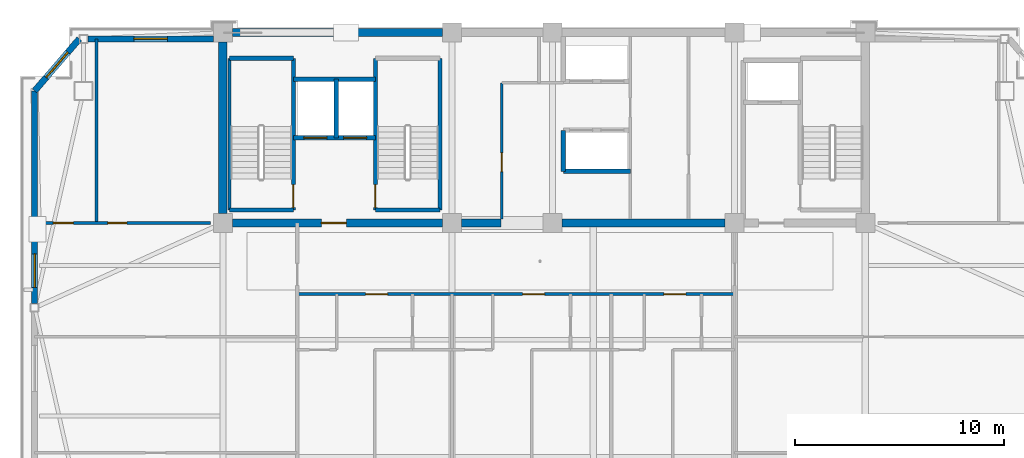
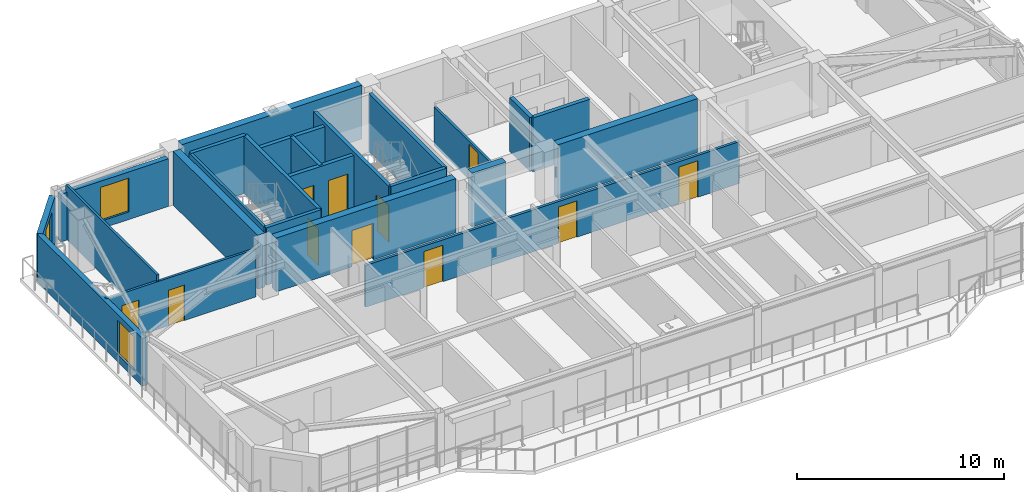
# One storey, part 7 of 14: 24 walls, 11 doors, 3 windows, 14 openings.
"""IFC4 building model written with IfcOpenShell, lengths in metres."""

from ifc_helpers import new_model, si_unit, direction, frame, frame_2d, origin, place, context, subcontext, project, spatial, rectangle, extrude, source, transform, mapped, material, layer, layer_set, type_object, element, fill, save


model = new_model("IFC4")

# Units and contexts
model_context = context("Model", 3, precision=1e-05, world=origin(), true_north=direction((0.0, 1.0)))
body_context = subcontext(model_context, "Body", "Model", "MODEL_VIEW")
ifc_project = project(units=[si_unit("LENGTHUNIT", "METRE"), si_unit("AREAUNIT", "SQUARE_METRE"), si_unit("VOLUMEUNIT", "CUBIC_METRE"), si_unit("PLANEANGLEUNIT", "RADIAN"), si_unit("MASSUNIT", "GRAM", prefix="KILO")], contexts=[model_context])

# Site, building, storey
site_placement = place(None, origin())
site = spatial("IfcSite", under=ifc_project, at=site_placement, CompositionType="ELEMENT")
building_placement = place(site_placement, origin())
building = spatial("IfcBuilding", under=site, at=building_placement, Name="Giltprow Tower", CompositionType="ELEMENT")
storey_placement = place(building_placement, frame((0.0, 0.0, 314.199951171875)))
storey = spatial("IfcBuildingStorey", under=building, at=storey_placement, Name="L81", CompositionType="ELEMENT", Elevation=314.199951171875)

# Wall, opening, window
ifc_material_1 = material(Name="Precast concrete C40", Category="concrete")
ifc_layer_1 = layer(ifc_material_1, 0.300048828125, Name="Precast concrete C40")
ifc_layer_set_1 = layer_set([ifc_layer_1], Name="Precast concrete C40")
wall_type_1 = type_object("IfcWallType", Name="EW-NOTCH-CHAMFER-300", PredefinedType="SOLIDWALL", material=ifc_layer_set_1)
wall_1_placement = place(storey_placement, frame((12.992919921875, 46.25, 0.0), z_axis=(0.0, 0.0, 1.0), x_axis=(-0.65172861611, -0.758452246977, 0.0)))
wall_1 = element("IfcWall", 1, at=wall_1_placement, inside=storey, type_object=wall_type_1, Name="L81 Corner Notch Wall NW", PredefinedType="SOLIDWALL", context=body_context, shape_type="SweptSolid", body=[
    extrude(rectangle(XDim=3.280517578125, YDim=0.300048828125, at=frame_2d((1.64013671875, 0.0))), origin(), (0.0, 0.0, 1.0), 2.81494140625),
])
opening_1_placement = place(wall_1_placement, frame((0.840087890625, 0.0, 0.449951171875)))
opening_1 = element("IfcOpeningElement", 2, at=opening_1_placement, cuts=wall_1, Name="Opening WN17", PredefinedType="OPENING", context=body_context, shape_type="SweptSolid", body=[
    extrude(rectangle(XDim=1.60009765625, YDim=2.0, at=frame_2d((0.800048828125, 1.0))), frame((0.0, 0.159912109375, 0.0), z_axis=(0.0, -1.0, 0.0), x_axis=(1.0, 0.0, 0.0)), (0.0, 0.0, 1.0), 0.320068359375),
])
ifc_material_2 = material(Name="Insulated glass", Category="glass")
window_type = type_object("IfcWindowType", Name="WN-COR-1600x2000", PartitioningType="SINGLE_PANEL", PredefinedType="WINDOW", material=ifc_material_2)
shared_shape_1 = source(origin(), body_context, "Body", "SweptSolid", [
    extrude(rectangle(XDim=1.60009765625, YDim=2.0, at=frame_2d((0.800048828125, 1.0))), frame((0.0, 0.030029296875, 0.0), z_axis=(0.0, -1.0, 0.0), x_axis=(1.0, 0.0, 0.0)), (0.0, 0.0, 1.0), 0.06005859375),
])
window_1_placement = place(opening_1_placement, origin())
window_1 = element("IfcWindow", 3, at=window_1_placement, inside=storey, type_object=window_type, Name="L81 Corner Notch Window NW", OverallHeight=2.0, OverallWidth=1.60009765625, PartitioningType="SINGLE_PANEL", PredefinedType="WINDOW", context=body_context, shape_type="MappedRepresentation", body=[
    mapped(shared_shape_1, transform((0.0, 0.0, 0.0), x_axis=(1.0, 0.0, 0.0), y_axis=(0.0, 1.0, 0.0), z_axis=(0.0, 0.0, 1.0), scale=1.0)),
])
fill(opening_1, window_1)

ifc_layer_2 = layer(ifc_material_1, 0.280029296875, Name="Precast concrete C40")
ifc_layer_set_2 = layer_set([ifc_layer_2], Name="Precast concrete C40")
wall_type_2 = type_object("IfcWallType", Name="EW-TOW-BRONZE-280", PredefinedType="SOLIDWALL", material=ifc_layer_set_2)
wall_2_placement = place(storey_placement, frame((10.85498046875, 33.60205078125, 0.0), z_axis=(0.0, 0.0, 1.0), x_axis=(0.0, 1.0, 0.0)))
wall_2 = element("IfcWall", 4, at=wall_2_placement, inside=storey, type_object=wall_type_2, Name="L81 W Wing Masonry Wall 2", PredefinedType="SOLIDWALL", context=body_context, shape_type="SweptSolid", body=[
    extrude(rectangle(XDim=10.159912109375, YDim=0.280029296875, at=frame_2d((5.080078125, 0.0))), origin(), (0.0, 0.0, 1.0), 2.81494140625),
])
opening_2_placement = place(wall_2_placement, frame((0.77490234375, 0.0, 0.449951171875)))
opening_2 = element("IfcOpeningElement", 5, at=opening_2_placement, cuts=wall_2, Name="Opening WN17", PredefinedType="OPENING", context=body_context, shape_type="SweptSolid", body=[
    extrude(rectangle(XDim=1.60009765625, YDim=2.0, at=frame_2d((0.800048828125, 1.0))), frame((0.0, 0.14990234375, 0.0), z_axis=(0.0, -1.0, 0.0), x_axis=(1.0, 0.0, 0.0)), (0.0, 0.0, 1.0), 0.300048828125),
])
window_2_placement = place(opening_2_placement, origin())
window_2 = element("IfcWindow", 6, at=window_2_placement, inside=storey, type_object=window_type, Name="L81 W Wing Window 2-1", OverallHeight=2.0, OverallWidth=1.60009765625, PartitioningType="SINGLE_PANEL", PredefinedType="WINDOW", context=body_context, shape_type="MappedRepresentation", body=[
    mapped(shared_shape_1, transform((0.0, 0.0, 0.0), x_axis=(1.0, 0.0, 0.0), y_axis=(0.0, 1.0, 0.0), z_axis=(0.0, 0.0, 1.0), scale=1.0)),
])
fill(opening_2, window_2)

wall_3_placement = place(storey_placement, frame((13.39306640625, 46.25, 0.0), z_axis=(0.0, 0.0, 1.0), x_axis=(1.0, 0.0, 0.0)))
wall_3 = element("IfcWall", 7, at=wall_3_placement, inside=storey, type_object=wall_type_2, Name="L81 North-West Wing Wall", PredefinedType="SOLIDWALL", context=body_context, shape_type="SweptSolid", body=[
    extrude(rectangle(XDim=6.0068359375, YDim=0.280029296875, at=frame_2d((3.00341796875, 0.0))), origin(), (0.0, 0.0, 1.0), 2.81494140625),
])
opening_3_placement = place(wall_3_placement, frame((2.202880859375, 0.0, 0.449951171875)))
opening_3 = element("IfcOpeningElement", 8, at=opening_3_placement, cuts=wall_3, Name="Opening WN17", PredefinedType="OPENING", context=body_context, shape_type="SweptSolid", body=[
    extrude(rectangle(XDim=1.60009765625, YDim=2.0, at=frame_2d((0.800048828125, 1.0))), frame((0.0, 0.14990234375, 0.0), z_axis=(0.0, -1.0, 0.0), x_axis=(1.0, 0.0, 0.0)), (0.0, 0.0, 1.0), 0.300048828125),
])
window_3_placement = place(opening_3_placement, origin())
window_3 = element("IfcWindow", 9, at=window_3_placement, inside=storey, type_object=window_type, Name="L81 North-West Window", OverallHeight=2.0, OverallWidth=1.60009765625, PartitioningType="SINGLE_PANEL", PredefinedType="WINDOW", context=body_context, shape_type="MappedRepresentation", body=[
    mapped(shared_shape_1, transform((0.0, 0.0, 0.0), x_axis=(1.0, 0.0, 0.0), y_axis=(0.0, 1.0, 0.0), z_axis=(0.0, 0.0, 1.0), scale=1.0)),
])
fill(opening_3, window_3)

# Wall, openings, doors
ifc_material_3 = material(Name="Gypsum stud partition", Category="gypsum")
ifc_layer_3 = layer(ifc_material_3, 0.14990234375, Name="Gypsum stud partition")
ifc_layer_set_3 = layer_set([ifc_layer_3], Name="Gypsum stud partition")
wall_type_3 = type_object("IfcWallType", Name="IW-CORR-150", PredefinedType="PARTITIONING", material=ifc_layer_set_3)
wall_4_placement = place(storey_placement, frame((23.39990234375, 34.050048828125, 0.0), z_axis=(0.0, 0.0, 1.0), x_axis=(1.0, 0.0, 0.0)))
wall_4 = element("IfcWall", 10, at=wall_4_placement, inside=storey, type_object=wall_type_3, Name="L81 Residence Gallery Corridor Wall", PredefinedType="PARTITIONING", context=body_context, shape_type="SweptSolid", body=[
    extrude(rectangle(XDim=20.900146484375, YDim=0.14990234375, at=frame_2d((10.4501953125, 0.0))), origin(), (0.0, 0.0, 1.0), 2.469970703125),
])
opening_4_placement = place(wall_4_placement, frame((3.27490234375, 0.0, 0.0)))
opening_4 = element("IfcOpeningElement", 11, at=opening_4_placement, cuts=wall_4, Name="Opening ID31", PredefinedType="OPENING", context=body_context, shape_type="SweptSolid", body=[
    extrude(rectangle(XDim=1.050048828125, YDim=2.14990234375, at=frame_2d((0.52490234375, 1.074951171875))), frame((0.0, 0.0849609375, 0.0), z_axis=(0.0, -1.0, 0.0), x_axis=(1.0, 0.0, 0.0)), (0.0, 0.0, 1.0), 0.169921875),
])
opening_5_placement = place(wall_4_placement, frame((10.77490234375, 0.0, 0.0)))
opening_5 = element("IfcOpeningElement", 12, at=opening_5_placement, cuts=wall_4, Name="Opening ID31", PredefinedType="OPENING", context=body_context, shape_type="SweptSolid", body=[
    extrude(rectangle(XDim=1.050048828125, YDim=2.14990234375, at=frame_2d((0.52490234375, 1.074951171875))), frame((0.0, 0.0849609375, 0.0), z_axis=(0.0, -1.0, 0.0), x_axis=(1.0, 0.0, 0.0)), (0.0, 0.0, 1.0), 0.169921875),
])
opening_6_placement = place(wall_4_placement, frame((17.52490234375, 0.0, 0.0)))
opening_6 = element("IfcOpeningElement", 13, at=opening_6_placement, cuts=wall_4, Name="Opening ID31", PredefinedType="OPENING", context=body_context, shape_type="SweptSolid", body=[
    extrude(rectangle(XDim=1.050048828125, YDim=2.14990234375, at=frame_2d((0.52490234375, 1.074951171875))), frame((0.0, 0.0849609375, 0.0), z_axis=(0.0, -1.0, 0.0), x_axis=(1.0, 0.0, 0.0)), (0.0, 0.0, 1.0), 0.169921875),
])
ifc_material_4 = material(Name="Engineered timber", Category="wood")
door_type_1 = type_object("IfcDoorType", Name="DR-SUITE-1050", OperationType="SINGLE_SWING_LEFT", PredefinedType="DOOR", material=ifc_material_4)
shared_shape_2 = source(origin(), body_context, "Body", "SweptSolid", [
    extrude(rectangle(XDim=1.050048828125, YDim=2.14990234375, at=frame_2d((0.52490234375, 1.074951171875))), frame((0.0, 0.02490234375, 0.0), z_axis=(0.0, -1.0, 0.0), x_axis=(1.0, 0.0, 0.0)), (0.0, 0.0, 1.0), 0.050048828125),
])
door_1_placement = place(opening_4_placement, origin())
door_1 = element("IfcDoor", 14, at=door_1_placement, inside=storey, type_object=door_type_1, Name="L81 Unit 1 Entrance Door", OperationType="SINGLE_SWING_LEFT", OverallHeight=2.14990234375, OverallWidth=1.050048828125, PredefinedType="DOOR", context=body_context, shape_type="MappedRepresentation", body=[
    mapped(shared_shape_2, transform((0.0, 0.0, 0.0), x_axis=(1.0, 0.0, 0.0), y_axis=(0.0, 1.0, 0.0), z_axis=(0.0, 0.0, 1.0), scale=1.0)),
])
fill(opening_4, door_1)
door_2_placement = place(opening_5_placement, origin())
door_2 = element("IfcDoor", 15, at=door_2_placement, inside=storey, type_object=door_type_1, Name="L81 Unit 2 Entrance Door", OperationType="SINGLE_SWING_LEFT", OverallHeight=2.14990234375, OverallWidth=1.050048828125, PredefinedType="DOOR", context=body_context, shape_type="MappedRepresentation", body=[
    mapped(shared_shape_2, transform((0.0, 0.0, 0.0), x_axis=(1.0, 0.0, 0.0), y_axis=(0.0, 1.0, 0.0), z_axis=(0.0, 0.0, 1.0), scale=1.0)),
])
fill(opening_5, door_2)
door_3_placement = place(opening_6_placement, origin())
door_3 = element("IfcDoor", 16, at=door_3_placement, inside=storey, type_object=door_type_1, Name="L81 Unit 3 Entrance Door", OperationType="SINGLE_SWING_LEFT", OverallHeight=2.14990234375, OverallWidth=1.050048828125, PredefinedType="DOOR", context=body_context, shape_type="MappedRepresentation", body=[
    mapped(shared_shape_2, transform((0.0, 0.0, 0.0), x_axis=(1.0, 0.0, 0.0), y_axis=(0.0, 1.0, 0.0), z_axis=(0.0, 0.0, 1.0), scale=1.0)),
])
fill(opening_6, door_3)

ifc_material_5 = material(Name="Concrete C40", Category="concrete")
ifc_layer_4 = layer(ifc_material_5, 0.219970703125, Name="Concrete C40")
ifc_layer_set_4 = layer_set([ifc_layer_4], Name="Concrete C40")
wall_type_4 = type_object("IfcWallType", Name="IW-SHAFT-220", PredefinedType="SOLIDWALL", material=ifc_layer_set_4)
wall_5_placement = place(storey_placement, frame((23.219970703125, 41.52001953125, 0.0), z_axis=(0.0, 0.0, 1.0), x_axis=(1.0, 0.0, 0.0)))
wall_5 = element("IfcWall", 17, at=wall_5_placement, inside=storey, type_object=wall_type_4, Name="L81 FFL1 and Service Lift Front Wall", PredefinedType="SOLIDWALL", context=body_context, shape_type="SweptSolid", body=[
    extrude(rectangle(XDim=3.919921875, YDim=0.219970703125, at=frame_2d((1.9599609375, 0.0))), origin(), (0.0, 0.0, 1.0), 3.18505859375),
])
opening_7_placement = place(wall_5_placement, frame((0.5, 0.0, 0.0)))
opening_7 = element("IfcOpeningElement", 18, at=opening_7_placement, cuts=wall_5, Name="Opening LD-11", PredefinedType="OPENING", context=body_context, shape_type="SweptSolid", body=[
    extrude(rectangle(XDim=1.10009765625, YDim=2.199951171875, at=frame_2d((0.550048828125, 1.10009765625))), frame((0.0, 0.119873046875, 0.0), z_axis=(0.0, -1.0, 0.0), x_axis=(1.0, 0.0, 0.0)), (0.0, 0.0, 1.0), 0.239990234375),
])
opening_8_placement = place(wall_5_placement, frame((2.39990234375, 0.0, 0.0)))
opening_8 = element("IfcOpeningElement", 19, at=opening_8_placement, cuts=wall_5, Name="Opening LD-11", PredefinedType="OPENING", context=body_context, shape_type="SweptSolid", body=[
    extrude(rectangle(XDim=1.10009765625, YDim=2.199951171875, at=frame_2d((0.550048828125, 1.10009765625))), frame((0.0, 0.119873046875, 0.0), z_axis=(0.0, -1.0, 0.0), x_axis=(1.0, 0.0, 0.0)), (0.0, 0.0, 1.0), 0.239990234375),
])
ifc_material_6 = material(Name="Stainless steel", Category="steel")
door_type_2 = type_object("IfcDoorType", Name="DR-LIFT-LD1100", OperationType="SLIDING_TO_LEFT", PredefinedType="DOOR", material=ifc_material_6)
shared_shape_3 = source(origin(), body_context, "Body", "SweptSolid", [
    extrude(rectangle(XDim=1.10009765625, YDim=2.199951171875, at=frame_2d((0.550048828125, 1.10009765625))), frame((0.0, 0.02490234375, 0.0), z_axis=(0.0, -1.0, 0.0), x_axis=(1.0, 0.0, 0.0)), (0.0, 0.0, 1.0), 0.050048828125),
])
door_4_placement = place(opening_7_placement, origin())
door_4 = element("IfcDoor", 20, at=door_4_placement, inside=storey, type_object=door_type_2, Name="L81 FFL1 Landing Door", OperationType="SLIDING_TO_LEFT", OverallHeight=2.199951171875, OverallWidth=1.10009765625, PredefinedType="DOOR", context=body_context, shape_type="MappedRepresentation", body=[
    mapped(shared_shape_3, transform((0.0, 0.0, 0.0), x_axis=(1.0, 0.0, 0.0), y_axis=(0.0, 1.0, 0.0), z_axis=(0.0, 0.0, 1.0), scale=1.0)),
])
fill(opening_7, door_4)
door_5_placement = place(opening_8_placement, origin())
door_5 = element("IfcDoor", 21, at=door_5_placement, inside=storey, type_object=door_type_2, Name="L81 SVL1 Landing Door", OperationType="SLIDING_TO_LEFT", OverallHeight=2.199951171875, OverallWidth=1.10009765625, PredefinedType="DOOR", context=body_context, shape_type="MappedRepresentation", body=[
    mapped(shared_shape_3, transform((0.0, 0.0, 0.0), x_axis=(1.0, 0.0, 0.0), y_axis=(0.0, 1.0, 0.0), z_axis=(0.0, 0.0, 1.0), scale=1.0)),
])
fill(opening_8, door_5)

# Walls
wall_6_placement = place(storey_placement, frame((25.260009765625, 41.52001953125, 0.0), z_axis=(0.0, 0.0, 1.0), x_axis=(0.0, 1.0, 0.0)))
element("IfcWall", 22, at=wall_6_placement, inside=storey, type_object=wall_type_4, Name="L81 FFL1-SVL1 Shaft Divider", PredefinedType="SOLIDWALL", context=body_context, shape_type="SweptSolid", body=[
    extrude(rectangle(XDim=2.800048828125, YDim=0.219970703125, at=frame_2d((1.39990234375, 0.0))), origin(), (0.0, 0.0, 1.0), 3.18505859375),
])
wall_7_placement = place(storey_placement, frame((23.219970703125, 44.320068359375, 0.0), z_axis=(0.0, 0.0, 1.0), x_axis=(1.0, 0.0, 0.0)))
element("IfcWall", 23, at=wall_7_placement, inside=storey, type_object=wall_type_4, Name="L81 FFL1-SVL1 Back Shaft Wall", PredefinedType="SOLIDWALL", context=body_context, shape_type="SweptSolid", body=[
    extrude(rectangle(XDim=3.919921875, YDim=0.219970703125, at=frame_2d((1.9599609375, 0.0))), origin(), (0.0, 0.0, 1.0), 3.18505859375),
])
wall_8_placement = place(storey_placement, frame((36.1201171875, 39.919921875, 0.0), z_axis=(0.0, 0.0, 1.0), x_axis=(1.0, 0.0, 0.0)))
element("IfcWall", 24, at=wall_8_placement, inside=storey, type_object=wall_type_4, Name="L81 High-Rise South Lift Back Wall", PredefinedType="SOLIDWALL", context=body_context, shape_type="SweptSolid", body=[
    extrude(rectangle(XDim=3.199951171875, YDim=0.219970703125, at=frame_2d((1.60009765625, 0.0))), origin(), (0.0, 0.0, 1.0), 3.18505859375),
])
wall_9_placement = place(storey_placement, frame((36.1201171875, 39.919921875, 0.0), z_axis=(0.0, 0.0, 1.0), x_axis=(0.0, 1.0, 0.0)))
element("IfcWall", 25, at=wall_9_placement, inside=storey, type_object=wall_type_4, Name="L81 High-Rise South Lift West Closure", PredefinedType="SOLIDWALL", context=body_context, shape_type="SweptSolid", body=[
    extrude(rectangle(XDim=1.9599609375, YDim=0.219970703125, at=frame_2d((0.97998046875, 0.0))), origin(), (0.0, 0.0, 1.0), 3.18505859375),
])
ifc_material_7 = material(Name="Concrete C45", Category="concrete")
ifc_layer_5 = layer(ifc_material_7, 0.139892578125, Name="Concrete C45")
ifc_layer_set_5 = layer_set([ifc_layer_5], Name="Concrete C45")
wall_type_5 = type_object("IfcWallType", Name="IW-STAIR-140", PredefinedType="SOLIDWALL", material=ifc_layer_set_5)
wall_10_placement = place(storey_placement, frame((20.169921875, 38.070068359375, 0.0), z_axis=(0.0, 0.0, 1.0), x_axis=(0.0, 1.0, 0.0)))
element("IfcWall", 26, at=wall_10_placement, inside=storey, type_object=wall_type_5, Name="L81 Stair ST-1 West Bearing Wall", PredefinedType="SOLIDWALL", context=body_context, shape_type="SweptSolid", body=[
    extrude(rectangle(XDim=7.25, YDim=0.139892578125, at=frame_2d((3.625, 0.0))), origin(), (0.0, 0.0, 1.0), 3.400146484375),
])

# Wall, opening, door
ifc_layer_6 = layer(ifc_material_5, 0.199951171875, Name="Concrete C40")
ifc_layer_set_6 = layer_set([ifc_layer_6], Name="Concrete C40")
wall_type_6 = type_object("IfcWallType", Name="IW-STAIR-200", PredefinedType="SOLIDWALL", material=ifc_layer_set_6)
wall_11_placement = place(storey_placement, frame((23.219970703125, 38.070068359375, 0.0), z_axis=(0.0, 0.0, 1.0), x_axis=(0.0, 1.0, 0.0)))
wall_11 = element("IfcWall", 27, at=wall_11_placement, inside=storey, type_object=wall_type_6, Name="L81 Stair ST-1 East Bearing Wall", PredefinedType="SOLIDWALL", context=body_context, shape_type="SweptSolid", body=[
    extrude(rectangle(XDim=7.25, YDim=0.199951171875, at=frame_2d((3.625, 0.0))), origin(), (0.0, 0.0, 1.0), 3.400146484375),
])
opening_9_placement = place(wall_11_placement, frame((0.110107421875, 0.0, 0.0)))
opening_9 = element("IfcOpeningElement", 28, at=opening_9_placement, cuts=wall_11, Name="Opening ID33", PredefinedType="OPENING", context=body_context, shape_type="SweptSolid", body=[
    extrude(rectangle(XDim=1.10009765625, YDim=2.14990234375, at=frame_2d((0.550048828125, 1.074951171875))), frame((0.0, 0.10986328125, 0.0), z_axis=(0.0, -1.0, 0.0), x_axis=(1.0, 0.0, 0.0)), (0.0, 0.0, 1.0), 0.219970703125),
])
ifc_material_8 = material(Name="Steel fire leaf", Category="steel")
door_type_3 = type_object("IfcDoorType", Name="DR-STAIR-1100", OperationType="SINGLE_SWING_LEFT", PredefinedType="DOOR", material=ifc_material_8)
shared_shape_4 = source(origin(), body_context, "Body", "SweptSolid", [
    extrude(rectangle(XDim=1.10009765625, YDim=2.14990234375, at=frame_2d((0.550048828125, 1.074951171875))), frame((0.0, 0.02490234375, 0.0), z_axis=(0.0, -1.0, 0.0), x_axis=(1.0, 0.0, 0.0)), (0.0, 0.0, 1.0), 0.050048828125),
])
door_6_placement = place(opening_9_placement, origin())
door_6 = element("IfcDoor", 29, at=door_6_placement, inside=storey, type_object=door_type_3, Name="L81 Stair ST-1 Fire Door", OperationType="SINGLE_SWING_RIGHT", OverallHeight=2.14990234375, OverallWidth=1.10009765625, PredefinedType="DOOR", context=body_context, shape_type="MappedRepresentation", body=[
    mapped(shared_shape_4, transform((0.0, 0.0, 0.0), x_axis=(1.0, 0.0, 0.0), y_axis=(0.0, 1.0, 0.0), z_axis=(0.0, 0.0, 1.0), scale=1.0)),
])
fill(opening_9, door_6)

# Walls
for number, where, z_axis, x_axis, name in (
    (30, (20.169921875, 45.320068359375, 0.0), (0.0, 0.0, 1.0), (1.0, 0.0, 0.0), "L81 Stair ST-1 North Bearing Wall"),
    (31, (20.169921875, 38.070068359375, 0.0), (0.0, 0.0, 1.0), (1.0, 0.0, 0.0), "L81 Stair ST-1 South Bearing Wall"),
):
    element("IfcWall", number, at=place(storey_placement, frame(where, z_axis=z_axis, x_axis=x_axis)), inside=storey, type_object=wall_type_6, Name=name, PredefinedType="SOLIDWALL", context=body_context, shape_type="SweptSolid", body=[
        extrude(rectangle(XDim=3.050048828125, YDim=0.199951171875, at=frame_2d((1.52490234375, 0.0))), origin(), (0.0, 0.0, 1.0), 3.400146484375),
    ])

# Wall, opening, door
wall_12_placement = place(storey_placement, frame((27.139892578125, 38.070068359375, 0.0), z_axis=(0.0, 0.0, 1.0), x_axis=(0.0, 1.0, 0.0)))
wall_12 = element("IfcWall", 32, at=wall_12_placement, inside=storey, type_object=wall_type_6, Name="L81 Stair ST-2 West Bearing Wall", PredefinedType="SOLIDWALL", context=body_context, shape_type="SweptSolid", body=[
    extrude(rectangle(XDim=7.25, YDim=0.199951171875, at=frame_2d((3.625, 0.0))), origin(), (0.0, 0.0, 1.0), 3.400146484375),
])
opening_10_placement = place(wall_12_placement, frame((0.110107421875, 0.0, 0.0)))
opening_10 = element("IfcOpeningElement", 33, at=opening_10_placement, cuts=wall_12, Name="Opening ID33", PredefinedType="OPENING", context=body_context, shape_type="SweptSolid", body=[
    extrude(rectangle(XDim=1.10009765625, YDim=2.14990234375, at=frame_2d((0.550048828125, 1.074951171875))), frame((0.0, 0.10986328125, 0.0), z_axis=(0.0, -1.0, 0.0), x_axis=(1.0, 0.0, 0.0)), (0.0, 0.0, 1.0), 0.219970703125),
])
door_7_placement = place(opening_10_placement, origin())
door_7 = element("IfcDoor", 34, at=door_7_placement, inside=storey, type_object=door_type_3, Name="L81 Stair ST-2 Fire Door", OperationType="SINGLE_SWING_LEFT", OverallHeight=2.14990234375, OverallWidth=1.10009765625, PredefinedType="DOOR", context=body_context, shape_type="MappedRepresentation", body=[
    mapped(shared_shape_4, transform((0.0, 0.0, 0.0), x_axis=(1.0, 0.0, 0.0), y_axis=(0.0, 1.0, 0.0), z_axis=(0.0, 0.0, 1.0), scale=1.0)),
])
fill(opening_10, door_7)

# Walls
wall_13_placement = place(storey_placement, frame((30.219970703125, 38.070068359375, 0.0), z_axis=(0.0, 0.0, 1.0), x_axis=(0.0, 1.0, 0.0)))
element("IfcWall", 35, at=wall_13_placement, inside=storey, type_object=wall_type_6, Name="L81 Stair ST-2 East Bearing Wall", PredefinedType="SOLIDWALL", context=body_context, shape_type="SweptSolid", body=[
    extrude(rectangle(XDim=7.25, YDim=0.199951171875, at=frame_2d((3.625, 0.0))), origin(), (0.0, 0.0, 1.0), 3.400146484375),
])
wall_14_placement = place(storey_placement, frame((27.139892578125, 38.070068359375, 0.0), z_axis=(0.0, 0.0, 1.0), x_axis=(1.0, 0.0, 0.0)))
element("IfcWall", 36, at=wall_14_placement, inside=storey, type_object=wall_type_6, Name="L81 Stair ST-2 South Bearing Wall", PredefinedType="SOLIDWALL", context=body_context, shape_type="SweptSolid", body=[
    extrude(rectangle(XDim=3.080078125, YDim=0.199951171875, at=frame_2d((1.5400390625, 0.0))), origin(), (0.0, 0.0, 1.0), 3.400146484375),
])

# Wall, opening, door
ifc_material_9 = material(Name="Concrete C30", Category="concrete")
ifc_layer_7 = layer(ifc_material_9, 0.1298828125, Name="Concrete C30")
ifc_layer_set_7 = layer_set([ifc_layer_7], Name="Concrete C30")
wall_type_7 = type_object("IfcWallType", Name="IW-WET-130", PredefinedType="PARTITIONING", material=ifc_layer_set_7)
wall_15_placement = place(storey_placement, frame((33.179931640625, 37.6298828125, 0.0), z_axis=(0.0, 0.0, 1.0), x_axis=(0.0, 1.0, 0.0)))
wall_15 = element("IfcWall", 37, at=wall_15_placement, inside=storey, type_object=wall_type_7, Name="L81 Reclaimed West Core Wall", PredefinedType="PARTITIONING", context=body_context, shape_type="SweptSolid", body=[
    extrude(rectangle(XDim=6.52001953125, YDim=0.1298828125, at=frame_2d((3.260009765625, 0.0))), origin(), (0.0, 0.0, 1.0), 2.27001953125),
])
opening_11_placement = place(wall_15_placement, frame((2.27001953125, 0.0, 0.0)))
opening_11 = element("IfcOpeningElement", 38, at=opening_11_placement, cuts=wall_15, Name="Opening ID35", PredefinedType="OPENING", context=body_context, shape_type="SweptSolid", body=[
    extrude(rectangle(XDim=0.89990234375, YDim=2.10009765625, at=frame_2d((0.449951171875, 1.050048828125))), frame((0.0, 0.074951171875, 0.0), z_axis=(0.0, -1.0, 0.0), x_axis=(1.0, 0.0, 0.0)), (0.0, 0.0, 1.0), 0.14990234375),
])
door_type_4 = type_object("IfcDoorType", Name="DR-SHAFT-900", OperationType="SINGLE_SWING_LEFT", PredefinedType="DOOR", material=ifc_material_8)
shared_shape_5 = source(origin(), body_context, "Body", "SweptSolid", [
    extrude(rectangle(XDim=0.89990234375, YDim=2.10009765625, at=frame_2d((0.449951171875, 1.050048828125))), frame((0.0, 0.02490234375, 0.0), z_axis=(0.0, -1.0, 0.0), x_axis=(1.0, 0.0, 0.0)), (0.0, 0.0, 1.0), 0.050048828125),
])
door_8_placement = place(opening_11_placement, origin())
door_8 = element("IfcDoor", 39, at=door_8_placement, inside=storey, type_object=door_type_4, Name="L81 Core Staff Washroom Door", OperationType="SINGLE_SWING_LEFT", OverallHeight=2.10009765625, OverallWidth=0.89990234375, PredefinedType="DOOR", context=body_context, shape_type="MappedRepresentation", body=[
    mapped(shared_shape_5, transform((0.0, 0.0, 0.0), x_axis=(1.0, 0.0, 0.0), y_axis=(0.0, 1.0, 0.0), z_axis=(0.0, 0.0, 1.0), scale=1.0)),
])
fill(opening_11, door_8)

# Wall, openings, doors
wall_16_placement = place(storey_placement, frame((10.85498046875, 37.449951171875, 0.0), z_axis=(0.0, 0.0, 1.0), x_axis=(1.0, 0.0, 0.0)))
wall_16 = element("IfcWall", 40, at=wall_16_placement, inside=storey, type_object=wall_type_7, Name="L81 NW Wing South Wall", PredefinedType="PARTITIONING", context=body_context, shape_type="SweptSolid", body=[
    extrude(rectangle(XDim=8.39501953125, YDim=0.1298828125, at=frame_2d((4.197509765625, 0.0))), origin(), (0.0, 0.0, 1.0), 2.820068359375),
])
opening_12_placement = place(wall_16_placement, frame((0.89990234375, 0.0, 0.0)))
opening_12 = element("IfcOpeningElement", 41, at=opening_12_placement, cuts=wall_16, Name="Opening ID11", PredefinedType="OPENING", context=body_context, shape_type="SweptSolid", body=[
    extrude(rectangle(XDim=0.949951171875, YDim=2.10009765625, at=frame_2d((0.47509765625, 1.050048828125))), frame((0.0, 0.074951171875, 0.0), z_axis=(0.0, -1.0, 0.0), x_axis=(1.0, 0.0, 0.0)), (0.0, 0.0, 1.0), 0.14990234375),
])
opening_13_placement = place(wall_16_placement, frame((3.501953125, 0.0, 0.0)))
opening_13 = element("IfcOpeningElement", 42, at=opening_13_placement, cuts=wall_16, Name="Opening ID15", PredefinedType="OPENING", context=body_context, shape_type="SweptSolid", body=[
    extrude(rectangle(XDim=0.89990234375, YDim=2.10009765625, at=frame_2d((0.449951171875, 1.050048828125))), frame((0.0, 0.074951171875, 0.0), z_axis=(0.0, -1.0, 0.0), x_axis=(1.0, 0.0, 0.0)), (0.0, 0.0, 1.0), 0.14990234375),
])
door_type_5 = type_object("IfcDoorType", Name="DR-WC-900", OperationType="SINGLE_SWING_LEFT", PredefinedType="DOOR", material=ifc_material_4)
door_9_placement = place(opening_13_placement, origin())
door_9 = element("IfcDoor", 43, at=door_9_placement, inside=storey, type_object=door_type_5, Name="L81 NW Washroom Door", OperationType="SINGLE_SWING_LEFT", OverallHeight=2.10009765625, OverallWidth=0.89990234375, PredefinedType="DOOR", context=body_context, shape_type="MappedRepresentation", body=[
    mapped(shared_shape_5, transform((0.0, 0.0, 0.0), x_axis=(1.0, 0.0, 0.0), y_axis=(0.0, 1.0, 0.0), z_axis=(0.0, 0.0, 1.0), scale=1.0)),
])
fill(opening_13, door_9)
door_type_6 = type_object("IfcDoorType", Name="DR-ROOM-950", OperationType="SINGLE_SWING_RIGHT", PredefinedType="DOOR", material=ifc_material_4)
shared_shape_6 = source(origin(), body_context, "Body", "SweptSolid", [
    extrude(rectangle(XDim=0.949951171875, YDim=2.10009765625, at=frame_2d((0.47509765625, 1.050048828125))), frame((0.0, 0.02490234375, 0.0), z_axis=(0.0, -1.0, 0.0), x_axis=(1.0, 0.0, 0.0)), (0.0, 0.0, 1.0), 0.050048828125),
])
door_10_placement = place(opening_12_placement, origin())
door_10 = element("IfcDoor", 44, at=door_10_placement, inside=storey, type_object=door_type_6, Name="L81 Residents Study Office West Door", OperationType="SINGLE_SWING_RIGHT", OverallHeight=2.10009765625, OverallWidth=0.949951171875, PredefinedType="DOOR", context=body_context, shape_type="MappedRepresentation", body=[
    mapped(shared_shape_6, transform((0.0, 0.0, 0.0), x_axis=(1.0, 0.0, 0.0), y_axis=(0.0, 1.0, 0.0), z_axis=(0.0, 0.0, 1.0), scale=1.0)),
])
fill(opening_12, door_10)

# Walls
wall_17_placement = place(storey_placement, frame((13.806884765625, 37.449951171875, 0.0), z_axis=(0.0, 0.0, 1.0), x_axis=(0.0, 1.0, 0.0)))
element("IfcWall", 45, at=wall_17_placement, inside=storey, type_object=wall_type_7, Name="L81 NW Wing Divider", PredefinedType="PARTITIONING", context=body_context, shape_type="SweptSolid", body=[
    extrude(rectangle(XDim=8.800048828125, YDim=0.1298828125, at=frame_2d((4.39990234375, 0.0))), origin(), (0.0, 0.0, 1.0), 3.18505859375),
])
ifc_layer_8 = layer(ifc_material_7, 0.39990234375, Name="Concrete C45")
ifc_layer_set_8 = layer_set([ifc_layer_8], Name="Concrete C45")
wall_type_8 = type_object("IfcWallType", Name="SW-EXT-400-C45", PredefinedType="SHEAR", material=ifc_layer_set_8)
wall_18_placement = place(storey_placement, frame((20.300048828125, 46.550048828125, 0.0), z_axis=(0.0, 0.0, 1.0), x_axis=(1.0, 0.0, 0.0)))
element("IfcWall", 46, at=wall_18_placement, inside=storey, type_object=wall_type_8, Name="L81 North Rear Core Shear Wall 1", PredefinedType="SHEAR", context=body_context, shape_type="SweptSolid", body=[
    extrude(rectangle(XDim=10.050048828125, YDim=0.39990234375, at=frame_2d((5.02490234375, 0.0))), origin(), (0.0, 0.0, 1.0), 3.18505859375),
])

# Wall, opening, door
ifc_layer_9 = layer(ifc_material_7, 0.39990234375, Name="Concrete C45")
ifc_layer_set_9 = layer_set([ifc_layer_9], Name="Concrete C45")
wall_type_9 = type_object("IfcWallType", Name="SW-INT-400-C45", PredefinedType="SHEAR", material=ifc_layer_set_9)
wall_19_placement = place(storey_placement, frame((20.300048828125, 37.449951171875, 0.0), z_axis=(0.0, 0.0, 1.0), x_axis=(1.0, 0.0, 0.0)))
wall_19 = element("IfcWall", 47, at=wall_19_placement, inside=storey, type_object=wall_type_9, Name="L81 South Rear Core Shear Wall West", PredefinedType="SHEAR", context=body_context, shape_type="SweptSolid", body=[
    extrude(rectangle(XDim=10.050048828125, YDim=0.39990234375, at=frame_2d((5.02490234375, 0.0))), origin(), (0.0, 0.0, 1.0), 3.18505859375),
])
opening_14_placement = place(wall_19_placement, frame((4.25, 0.0, 0.0)))
opening_14 = element("IfcOpeningElement", 48, at=opening_14_placement, cuts=wall_19, Name="Opening ID19", PredefinedType="OPENING", context=body_context, shape_type="SweptSolid", body=[
    extrude(rectangle(XDim=1.199951171875, YDim=2.14990234375, at=frame_2d((0.60009765625, 1.074951171875))), frame((0.0, 0.2099609375, 0.0), z_axis=(0.0, -1.0, 0.0), x_axis=(1.0, 0.0, 0.0)), (0.0, 0.0, 1.0), 0.419921875),
])
door_type_7 = type_object("IfcDoorType", Name="DR-FFLOBBY-1200", OperationType="SINGLE_SWING_RIGHT", PredefinedType="DOOR", material=ifc_material_8)
shared_shape_7 = source(origin(), body_context, "Body", "SweptSolid", [
    extrude(rectangle(XDim=1.199951171875, YDim=2.14990234375, at=frame_2d((0.60009765625, 1.074951171875))), frame((0.0, 0.02490234375, 0.0), z_axis=(0.0, -1.0, 0.0), x_axis=(1.0, 0.0, 0.0)), (0.0, 0.0, 1.0), 0.050048828125),
])
door_11_placement = place(opening_14_placement, origin())
door_11 = element("IfcDoor", 49, at=door_11_placement, inside=storey, type_object=door_type_7, Name="L81 West Firefighting Lobby Entry Door", OperationType="SINGLE_SWING_LEFT", OverallHeight=2.14990234375, OverallWidth=1.199951171875, PredefinedType="DOOR", context=body_context, shape_type="MappedRepresentation", body=[
    mapped(shared_shape_7, transform((0.0, 0.0, 0.0), x_axis=(1.0, 0.0, 0.0), y_axis=(0.0, 1.0, 0.0), z_axis=(0.0, 0.0, 1.0), scale=1.0)),
])
fill(opening_14, door_11)

# Walls
wall_20_placement = place(storey_placement, frame((31.25, 37.449951171875, 0.0), z_axis=(0.0, 0.0, 1.0), x_axis=(1.0, 0.0, 0.0)))
element("IfcWall", 50, at=wall_20_placement, inside=storey, type_object=wall_type_9, Name="L81 South Rear Core Shear Wall Mid-West", PredefinedType="SHEAR", context=body_context, shape_type="SweptSolid", body=[
    extrude(rectangle(XDim=1.89990234375, YDim=0.39990234375, at=frame_2d((0.949951171875, 0.0))), origin(), (0.0, 0.0, 1.0), 3.18505859375),
])
wall_21_placement = place(storey_placement, frame((36.050048828125, 37.449951171875, 0.0), z_axis=(0.0, 0.0, 1.0), x_axis=(1.0, 0.0, 0.0)))
element("IfcWall", 51, at=wall_21_placement, inside=storey, type_object=wall_type_9, Name="L81 South Rear Core Shear Wall Mid-East", PredefinedType="SHEAR", context=body_context, shape_type="SweptSolid", body=[
    extrude(rectangle(XDim=7.800048828125, YDim=0.39990234375, at=frame_2d((3.89990234375, 0.0))), origin(), (0.0, 0.0, 1.0), 3.18505859375),
])
wall_22_placement = place(storey_placement, frame((19.85009765625, 37.89990234375, 0.0), z_axis=(0.0, 0.0, 1.0), x_axis=(0.0, 1.0, 0.0)))
element("IfcWall", 52, at=wall_22_placement, inside=storey, type_object=wall_type_9, Name="L81 W Rear Core Shear Wall", PredefinedType="SHEAR", context=body_context, shape_type="SweptSolid", body=[
    extrude(rectangle(XDim=8.2001953125, YDim=0.39990234375, at=frame_2d((4.10009765625, 0.0))), origin(), (0.0, 0.0, 1.0), 3.18505859375),
])

save(model, "model.ifc")
